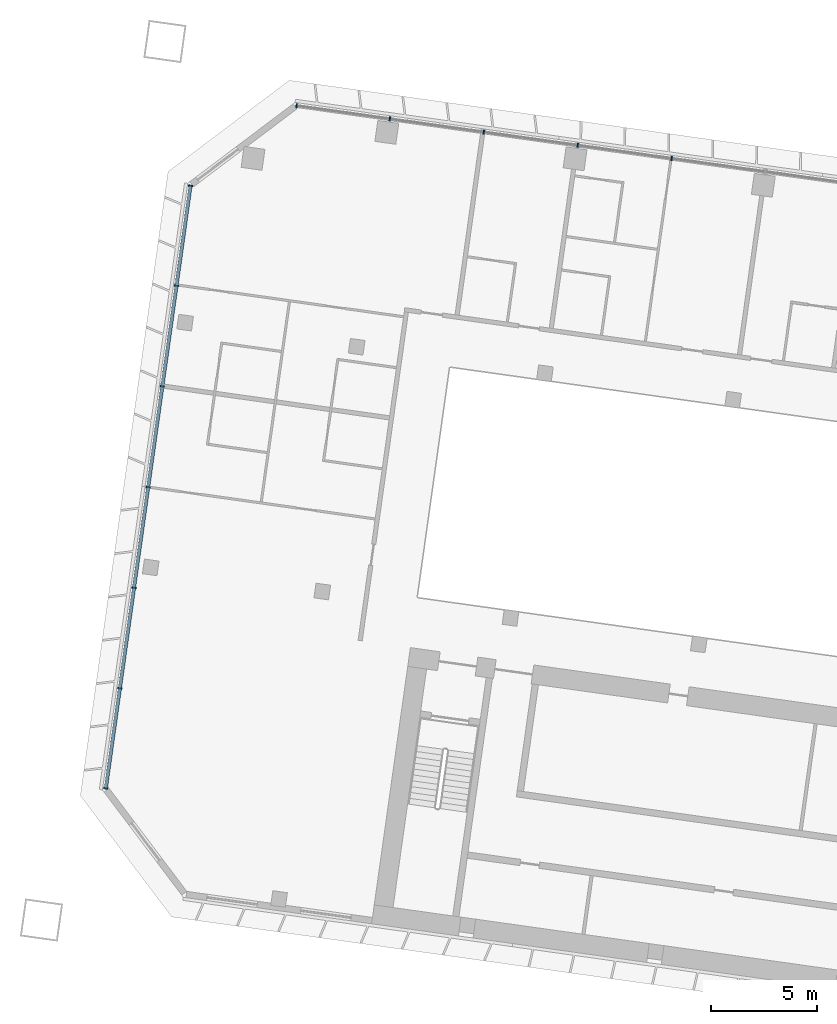
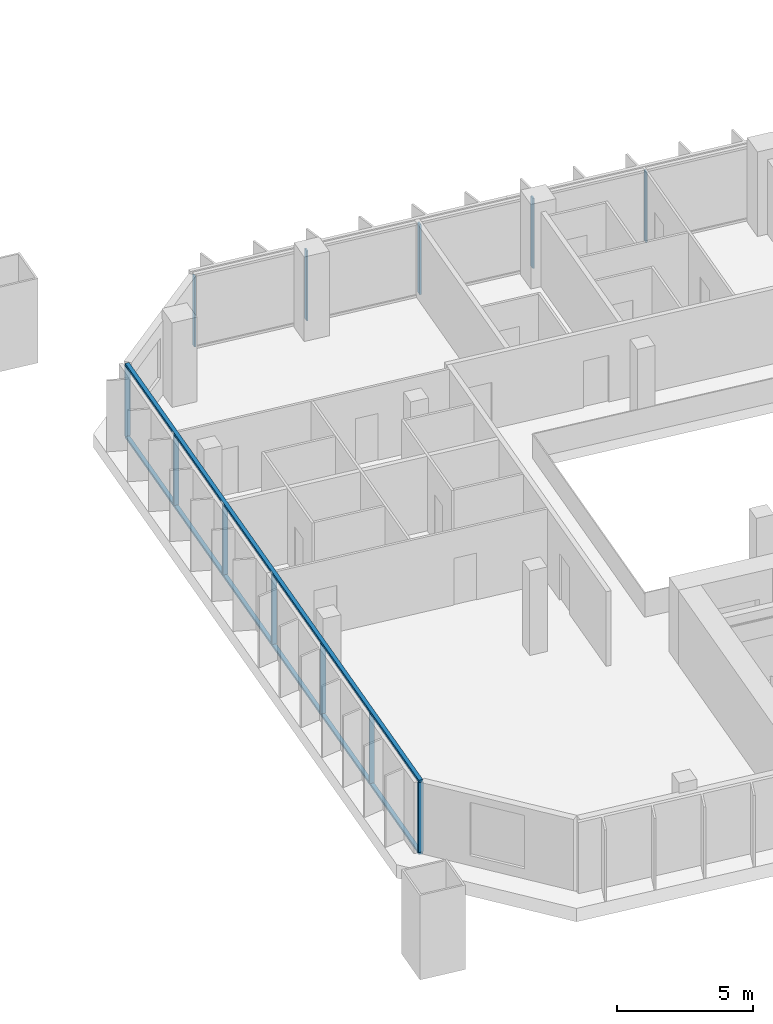
# One storey, part 2 of 25: 14 members, 2 elements without a shape of their own.
"""IFC4 building model written with IfcOpenShell, lengths in metres."""

from ifc_helpers import new_model, si_unit, direction, frame, origin, origin_2d, place, context, subcontext, project, spatial, rectangle, extrude, material, material_profile, profile_set, type_object, element, aggregate, save


model = new_model("IFC4")

# Units and contexts
model_context = context("Model", 3, precision=1e-05, world=origin(), true_north=direction((0.0, 1.0)))
body_context = subcontext(model_context, "Body", "Model", "MODEL_VIEW")
ifc_project = project(units=[si_unit("LENGTHUNIT", "METRE"), si_unit("AREAUNIT", "SQUARE_METRE"), si_unit("VOLUMEUNIT", "CUBIC_METRE"), si_unit("PLANEANGLEUNIT", "RADIAN"), si_unit("MASSUNIT", "GRAM", prefix="KILO")], contexts=[model_context])

# Site, building, storey
site_placement = place(None, origin())
site = spatial("IfcSite", under=ifc_project, at=site_placement, CompositionType="ELEMENT")
building_placement = place(site_placement, origin())
building = spatial("IfcBuilding", under=site, at=building_placement, Name="Mirante Cascada Hotel Towers", CompositionType="ELEMENT")
storey_placement = place(building_placement, frame((0.0, 0.0, 58.5)))
storey = spatial("IfcBuildingStorey", under=building, at=storey_placement, Name="L11", CompositionType="ELEMENT", Elevation=58.5)

# Curtain wall, members
ifc_material_1 = material(Name="Aluminium mullion and transom frame with clear laminated glass", Category="aluminium")
curtain_wall_type_1 = type_object("IfcCurtainWallType", Name="Ribbon curtain wall ECW1", PredefinedType="NOTDEFINED", material=ifc_material_1)
curtain_wall_1_placement = place(storey_placement, origin())
curtain_wall_1 = element("IfcCurtainWall", 1, at=curtain_wall_1_placement, inside=storey, type_object=curtain_wall_type_1, Name="Front ribbon wall T1 L11", PredefinedType="NOTDEFINED")
ifc_material_2 = material(Name="Anodised aluminium extrusion", Category="aluminium")
ifc_material_profile_1 = material_profile(ifc_material_2, rectangle(XDim=0.2, YDim=0.065, at=origin_2d()), Name="ECW1 MULLION 65x200")
ifc_profile_set_1 = profile_set([ifc_material_profile_1], Name="Anodised aluminium extrusion")
member_type_1 = type_object("IfcMemberType", Name="ECW1 mullion 65x200", PredefinedType="MULLION", material=ifc_profile_set_1)
member_1_placement = place(storey_placement, frame((-94.126, 26.0476, 0.1), z_axis=(0.0, 0.0, 1.0), x_axis=(0.1391731, 0.9902681, 0.0)))
member_1 = element("IfcMember", 2, at=member_1_placement, type_object=member_type_1, Name="ECW1 mullion 1", PredefinedType="MULLION", context=body_context, shape_type="SweptSolid", body=[
    extrude(rectangle(XDim=0.2, YDim=0.065, at=origin_2d()), origin(), (0.0, 0.0, 1.0), 3.15),
])
member_2_placement = place(storey_placement, frame((-89.7107, 25.427, 0.1), z_axis=(0.0, 0.0, 1.0), x_axis=(0.1391731, 0.9902681, 0.0)))
member_2 = element("IfcMember", 3, at=member_2_placement, type_object=member_type_1, Name="ECW1 mullion 2", PredefinedType="MULLION", context=body_context, shape_type="SweptSolid", body=[
    extrude(rectangle(XDim=0.2, YDim=0.065, at=origin_2d()), origin(), (0.0, 0.0, 1.0), 3.15),
])
member_3_placement = place(storey_placement, frame((-85.2633, 24.802, 0.1), z_axis=(0.0, 0.0, 1.0), x_axis=(0.1391731, 0.9902681, 0.0)))
member_3 = element("IfcMember", 4, at=member_3_placement, type_object=member_type_1, Name="ECW1 mullion 3", PredefinedType="MULLION", context=body_context, shape_type="SweptSolid", body=[
    extrude(rectangle(XDim=0.2, YDim=0.065, at=origin_2d()), origin(), (0.0, 0.0, 1.0), 3.15),
])
member_4_placement = place(storey_placement, frame((-80.8159, 24.177, 0.1), z_axis=(0.0, 0.0, 1.0), x_axis=(0.1391731, 0.9902681, 0.0)))
member_4 = element("IfcMember", 5, at=member_4_placement, type_object=member_type_1, Name="ECW1 mullion 4", PredefinedType="MULLION", context=body_context, shape_type="SweptSolid", body=[
    extrude(rectangle(XDim=0.2, YDim=0.065, at=origin_2d()), origin(), (0.0, 0.0, 1.0), 3.15),
])
member_5_placement = place(storey_placement, frame((-76.3685, 23.5519, 0.1), z_axis=(0.0, 0.0, 1.0), x_axis=(0.1391731, 0.9902681, 0.0)))
member_5 = element("IfcMember", 6, at=member_5_placement, type_object=member_type_1, Name="ECW1 mullion 5", PredefinedType="MULLION", context=body_context, shape_type="SweptSolid", body=[
    extrude(rectangle(XDim=0.2, YDim=0.065, at=origin_2d()), origin(), (0.0, 0.0, 1.0), 3.15),
])
aggregate(curtain_wall_1, [member_1, member_2, member_3, member_4, member_5])

ifc_material_3 = material(Name="Aluminium mullion and transom frame with clear laminated glass", Category="aluminium")
curtain_wall_type_2 = type_object("IfcCurtainWallType", Name="End ribbon curtain wall ECW2", PredefinedType="NOTDEFINED", material=ifc_material_3)
curtain_wall_2_placement = place(storey_placement, origin())
curtain_wall_2 = element("IfcCurtainWall", 7, at=curtain_wall_2_placement, inside=storey, type_object=curtain_wall_type_2, Name="Outer end wall T1 L11", PredefinedType="NOTDEFINED")
ifc_material_4 = material(Name="Anodised aluminium extrusion", Category="aluminium")
ifc_material_profile_2 = material_profile(ifc_material_4, rectangle(XDim=0.2, YDim=0.065, at=origin_2d()), Name="ECW2 MULLION 65x200")
ifc_profile_set_2 = profile_set([ifc_material_profile_2], Name="Anodised aluminium extrusion")
member_type_2 = type_object("IfcMemberType", Name="ECW2 mullion 65x200", PredefinedType="MULLION", material=ifc_profile_set_2)
member_6_placement = place(storey_placement, frame((-103.1556, -6.2656, 0.1), z_axis=(0.0, 0.0, 1.0), x_axis=(-0.9902681, 0.1391731, 0.0)))
member_6 = element("IfcMember", 8, at=member_6_placement, type_object=member_type_2, Name="ECW2 mullion 1", PredefinedType="MULLION", context=body_context, shape_type="SweptSolid", body=[
    extrude(rectangle(XDim=0.2, YDim=0.065, at=origin_2d()), origin(), (0.0, 0.0, 1.0), 3.15),
])
member_7_placement = place(storey_placement, frame((-102.4903, -1.532, 0.1), z_axis=(0.0, 0.0, 1.0), x_axis=(-0.9902681, 0.1391731, 0.0)))
member_7 = element("IfcMember", 9, at=member_7_placement, type_object=member_type_2, Name="ECW2 mullion 2", PredefinedType="MULLION", context=body_context, shape_type="SweptSolid", body=[
    extrude(rectangle(XDim=0.2, YDim=0.065, at=origin_2d()), origin(), (0.0, 0.0, 1.0), 3.15),
])
member_8_placement = place(storey_placement, frame((-101.8205, 3.2338, 0.1), z_axis=(0.0, 0.0, 1.0), x_axis=(-0.9902681, 0.1391731, 0.0)))
member_8 = element("IfcMember", 10, at=member_8_placement, type_object=member_type_2, Name="ECW2 mullion 3", PredefinedType="MULLION", context=body_context, shape_type="SweptSolid", body=[
    extrude(rectangle(XDim=0.2, YDim=0.065, at=origin_2d()), origin(), (0.0, 0.0, 1.0), 3.15),
])
member_9_placement = place(storey_placement, frame((-101.1508, 7.9996, 0.1), z_axis=(0.0, 0.0, 1.0), x_axis=(-0.9902681, 0.1391731, 0.0)))
member_9 = element("IfcMember", 11, at=member_9_placement, type_object=member_type_2, Name="ECW2 mullion 4", PredefinedType="MULLION", context=body_context, shape_type="SweptSolid", body=[
    extrude(rectangle(XDim=0.2, YDim=0.065, at=origin_2d()), origin(), (0.0, 0.0, 1.0), 3.15),
])
member_10_placement = place(storey_placement, frame((-100.481, 12.7654, 0.1), z_axis=(0.0, 0.0, 1.0), x_axis=(-0.9902681, 0.1391731, 0.0)))
member_10 = element("IfcMember", 12, at=member_10_placement, type_object=member_type_2, Name="ECW2 mullion 5", PredefinedType="MULLION", context=body_context, shape_type="SweptSolid", body=[
    extrude(rectangle(XDim=0.2, YDim=0.065, at=origin_2d()), origin(), (0.0, 0.0, 1.0), 3.15),
])
member_11_placement = place(storey_placement, frame((-99.8112, 17.5312, 0.1), z_axis=(0.0, 0.0, 1.0), x_axis=(-0.9902681, 0.1391731, 0.0)))
member_11 = element("IfcMember", 13, at=member_11_placement, type_object=member_type_2, Name="ECW2 mullion 6", PredefinedType="MULLION", context=body_context, shape_type="SweptSolid", body=[
    extrude(rectangle(XDim=0.2, YDim=0.065, at=origin_2d()), origin(), (0.0, 0.0, 1.0), 3.15),
])
member_12_placement = place(storey_placement, frame((-99.1459, 22.2648, 0.1), z_axis=(0.0, 0.0, 1.0), x_axis=(-0.9902681, 0.1391731, 0.0)))
member_12 = element("IfcMember", 14, at=member_12_placement, type_object=member_type_2, Name="ECW2 mullion 7", PredefinedType="MULLION", context=body_context, shape_type="SweptSolid", body=[
    extrude(rectangle(XDim=0.2, YDim=0.065, at=origin_2d()), origin(), (0.0, 0.0, 1.0), 3.15),
])
ifc_material_5 = material(Name="Anodised aluminium extrusion", Category="aluminium")
ifc_material_profile_3 = material_profile(ifc_material_5, rectangle(XDim=0.16, YDim=0.1, at=origin_2d()), Name="ECW2 TRANSOM 100x160")
ifc_profile_set_3 = profile_set([ifc_material_profile_3], Name="Anodised aluminium extrusion")
member_type_3 = type_object("IfcMemberType", Name="ECW2 transom 100x160", PredefinedType="USERDEFINED", material=ifc_profile_set_3)
member_13_placement = place(storey_placement, frame((-103.1601, -6.2978, 0.05), z_axis=(0.1391723, 0.9902682, 0.0), x_axis=(-0.9902682, 0.1391723, 0.0)))
member_13 = element("IfcMember", 15, at=member_13_placement, type_object=member_type_3, Name="ECW2 sill transom", ObjectType="TRANSOM", PredefinedType="USERDEFINED", context=body_context, shape_type="SweptSolid", body=[
    extrude(rectangle(XDim=0.16, YDim=0.1, at=origin_2d()), origin(), (0.0, 0.0, 1.0), 28.8757),
])
member_14_placement = place(storey_placement, frame((-103.1601, -6.2978, 3.3), z_axis=(0.1391723, 0.9902682, 0.0), x_axis=(-0.9902682, 0.1391723, 0.0)))
member_14 = element("IfcMember", 16, at=member_14_placement, type_object=member_type_3, Name="ECW2 head transom", ObjectType="TRANSOM", PredefinedType="USERDEFINED", context=body_context, shape_type="SweptSolid", body=[
    extrude(rectangle(XDim=0.16, YDim=0.1, at=origin_2d()), origin(), (0.0, 0.0, 1.0), 28.8757),
])
aggregate(curtain_wall_2, [member_13, member_14, member_6, member_7, member_8, member_9, member_10, member_11, member_12])

save(model, "model.ifc")
